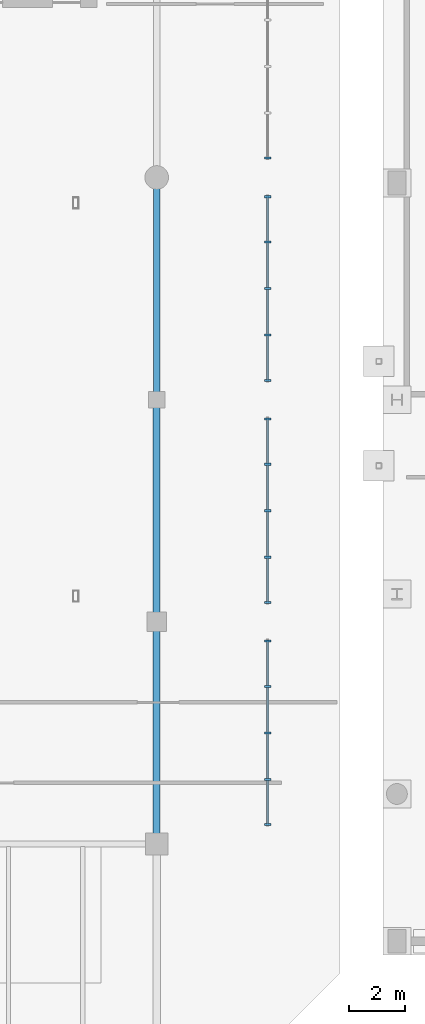
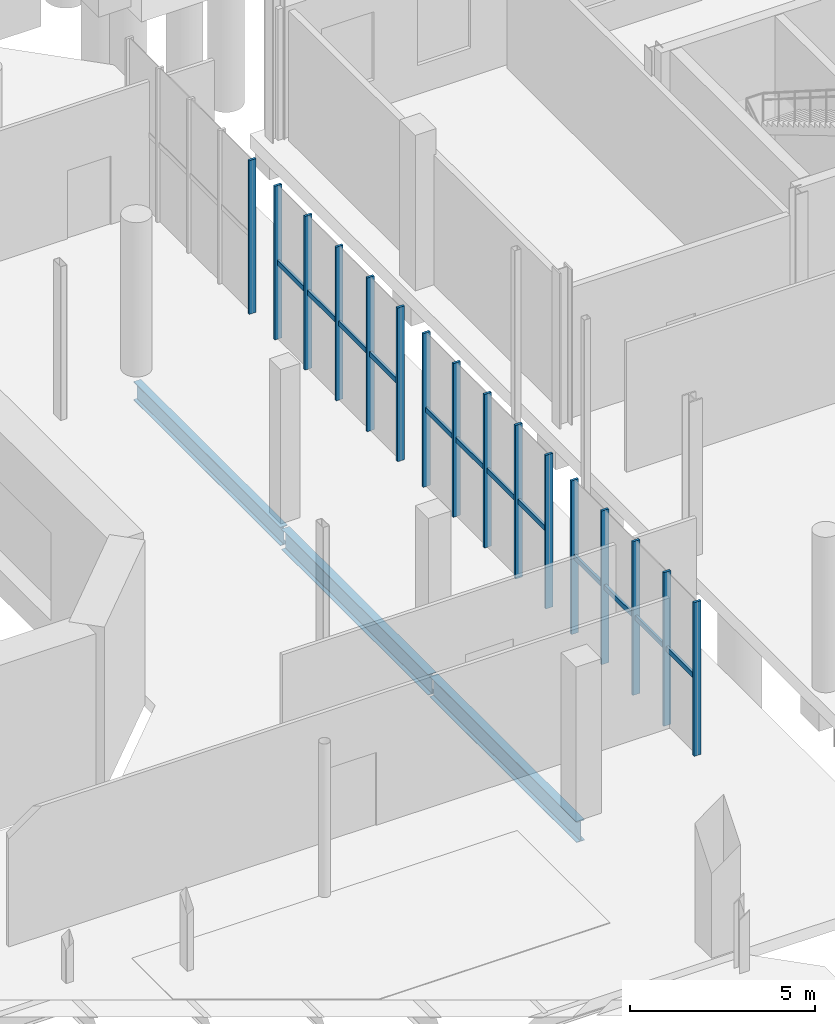
# One storey, part 43 of 87: 28 members, 3 beams, 4 elements without a shape of their own.
"""IFC4 building model written with IfcOpenShell, lengths in metres."""

from ifc_helpers import new_model, si_unit, direction, frame, origin, origin_2d, place, context, subcontext, project, spatial, rectangle, i_section, extrude, material, material_profile, profile_set, type_object, element, aggregate, save


model = new_model("IFC4")

# Units and contexts
model_context = context("Model", 3, precision=1e-05, world=origin(), true_north=direction((0.0, 1.0)))
body_context = subcontext(model_context, "Body", "Model", "MODEL_VIEW")
ifc_project = project(units=[si_unit("LENGTHUNIT", "METRE"), si_unit("AREAUNIT", "SQUARE_METRE"), si_unit("VOLUMEUNIT", "CUBIC_METRE"), si_unit("PLANEANGLEUNIT", "RADIAN"), si_unit("MASSUNIT", "GRAM", prefix="KILO")], contexts=[model_context])

# Site, building, storey
site_placement = place(None, origin())
site = spatial("IfcSite", under=ifc_project, at=site_placement, CompositionType="ELEMENT")
building_placement = place(site_placement, origin())
building = spatial("IfcBuilding", under=site, at=building_placement, Name="Brisemont Oceanarium", CompositionType="ELEMENT")
storey_placement = place(building_placement, origin())
storey = spatial("IfcBuildingStorey", under=building, at=storey_placement, Name="L00", CompositionType="ELEMENT", Elevation=0.0)

# Beams
ifc_material_1 = material(Name="Structural Steel ASTM A992 Gr.50", Category="steel")
ifc_material_profile_1 = material_profile(ifc_material_1, i_section(OverallWidth=0.22900390625, OverallDepth=0.612060546875, WebThickness=0.011962890625, FlangeThickness=0.01953125, FilletRadius=0.012939453125, at=origin_2d()), Name="W24X84")
ifc_profile_set_1 = profile_set([ifc_material_profile_1], Name="Structural Steel ASTM A992 Gr.50")
beam_type_1 = type_object("IfcBeamType", Name="BM-W24X84", PredefinedType="BEAM", material=ifc_profile_set_1)
beam_1_placement = place(storey_placement, frame((104.0, 56.0400390625, -0.68603515625), z_axis=(0.0, 1.0, 0.0), x_axis=(-1.0, 0.0, 0.0)))
element("IfcBeam", 1, at=beam_1_placement, inside=storey, type_object=beam_type_1, Name="V1 L00 NS girder", PredefinedType="BEAM", context=body_context, shape_type="SweptSolid", body=[
    extrude(i_section(OverallWidth=0.22900390625, OverallDepth=0.612060546875, WebThickness=0.011962890625, FlangeThickness=0.01953125, FilletRadius=0.012939453125, at=origin_2d()), origin(), (0.0, 0.0, 1.0), 7.919921875),
])
ifc_material_2 = material(Name="Structural Steel ASTM A992 Gr.50", Category="steel")
ifc_material_profile_2 = material_profile(ifc_material_2, i_section(OverallWidth=0.2529296875, OverallDepth=0.677978515625, WebThickness=0.01171875, FlangeThickness=0.016357421875, FilletRadius=0.014892578125, at=origin_2d()), Name="W27X84")
ifc_profile_set_2 = profile_set([ifc_material_profile_2], Name="Structural Steel ASTM A992 Gr.50")
beam_type_2 = type_object("IfcBeamType", Name="BM-W27X84", PredefinedType="BEAM", material=ifc_profile_set_2)
beam_2_placement = place(storey_placement, frame((104.0, 48.0400390625, -0.718994140625), z_axis=(0.0, 1.0, 0.0), x_axis=(-1.0, 0.0, 0.0)))
element("IfcBeam", 2, at=beam_2_placement, inside=storey, type_object=beam_type_2, Name="V1 L00 NS girder", PredefinedType="BEAM", context=body_context, shape_type="SweptSolid", body=[
    extrude(i_section(OverallWidth=0.2529296875, OverallDepth=0.677978515625, WebThickness=0.01171875, FlangeThickness=0.016357421875, FilletRadius=0.014892578125, at=origin_2d()), origin(), (0.0, 0.0, 1.0), 7.919921875),
])
ifc_material_3 = material(Name="Structural Steel ASTM A992 Gr.50", Category="steel")
ifc_material_profile_3 = material_profile(ifc_material_3, i_section(OverallWidth=0.25390625, OverallDepth=0.68310546875, WebThickness=0.012451171875, FlangeThickness=0.018798828125, FilletRadius=0.014892578125, at=origin_2d()), Name="W27X94")
ifc_profile_set_3 = profile_set([ifc_material_profile_3], Name="Structural Steel ASTM A992 Gr.50")
beam_type_3 = type_object("IfcBeamType", Name="BM-W27X94", PredefinedType="BEAM", material=ifc_profile_set_3)
beam_3_placement = place(storey_placement, frame((104.0, 40.0400390625, -0.721435546875), z_axis=(0.0, 1.0, 0.0), x_axis=(-1.0, 0.0, 0.0)))
element("IfcBeam", 3, at=beam_3_placement, inside=storey, type_object=beam_type_3, Name="V1 L00 NS girder", PredefinedType="BEAM", context=body_context, shape_type="SweptSolid", body=[
    extrude(i_section(OverallWidth=0.25390625, OverallDepth=0.68310546875, WebThickness=0.012451171875, FlangeThickness=0.018798828125, FilletRadius=0.014892578125, at=origin_2d()), origin(), (0.0, 0.0, 1.0), 7.919921875),
])

# Curtain wall, members
ifc_material_4 = material(Name="Anodized Extruded Aluminum 6063-T6", Category="aluminium")
curtain_wall_type = type_object("IfcCurtainWallType", Name="CW-ROT-69X50", PredefinedType="NOTDEFINED", material=ifc_material_4)
curtain_wall_1_placement = place(storey_placement, origin())
curtain_wall_1 = element("IfcCurtainWall", 4, at=curtain_wall_1_placement, inside=storey, type_object=curtain_wall_type, Name="CW-01 curtain wall CW-V1-E-L00-01", PredefinedType="NOTDEFINED")
ifc_material_5 = material(Name="Anodized Extruded Aluminum 6063-T6", Category="aluminium")
ifc_material_profile_4 = material_profile(ifc_material_5, rectangle(XDim=0.074951171875, YDim=0.219970703125, at=origin_2d()), Name="CWM-75X220")
ifc_profile_set_4 = profile_set([ifc_material_profile_4], Name="Anodized Extruded Aluminum 6063-T6")
member_type_1 = type_object("IfcMemberType", Name="MEM-CWM-75", PredefinedType="MULLION", material=ifc_profile_set_4)
member_1_placement = place(storey_placement, frame((108.0, 40.695068359375, 0.0), z_axis=(0.0, 0.0, 1.0), x_axis=(0.0, 1.0, 0.0)))
member_1 = element("IfcMember", 5, at=member_1_placement, type_object=member_type_1, Name="CW-V1-E-L00-01 mullion 1", PredefinedType="MULLION", context=body_context, shape_type="SweptSolid", body=[
    extrude(rectangle(XDim=0.074951171875, YDim=0.219970703125, at=origin_2d()), origin(), (0.0, 0.0, 1.0), 5.06005859375),
])
member_2_placement = place(storey_placement, frame((108.0, 42.324951171875, 0.0), z_axis=(0.0, 0.0, 1.0), x_axis=(0.0, 1.0, 0.0)))
member_2 = element("IfcMember", 6, at=member_2_placement, type_object=member_type_1, Name="CW-V1-E-L00-01 mullion 2", PredefinedType="MULLION", context=body_context, shape_type="SweptSolid", body=[
    extrude(rectangle(XDim=0.074951171875, YDim=0.219970703125, at=origin_2d()), origin(), (0.0, 0.0, 1.0), 5.06005859375),
])
member_3_placement = place(storey_placement, frame((108.0, 44.0, 0.0), z_axis=(0.0, 0.0, 1.0), x_axis=(0.0, 1.0, 0.0)))
member_3 = element("IfcMember", 7, at=member_3_placement, type_object=member_type_1, Name="CW-V1-E-L00-01 mullion 3", PredefinedType="MULLION", context=body_context, shape_type="SweptSolid", body=[
    extrude(rectangle(XDim=0.074951171875, YDim=0.219970703125, at=origin_2d()), origin(), (0.0, 0.0, 1.0), 5.06005859375),
])
member_4_placement = place(storey_placement, frame((108.0, 45.675048828125, 0.0), z_axis=(0.0, 0.0, 1.0), x_axis=(0.0, 1.0, 0.0)))
member_4 = element("IfcMember", 8, at=member_4_placement, type_object=member_type_1, Name="CW-V1-E-L00-01 mullion 4", PredefinedType="MULLION", context=body_context, shape_type="SweptSolid", body=[
    extrude(rectangle(XDim=0.074951171875, YDim=0.219970703125, at=origin_2d()), origin(), (0.0, 0.0, 1.0), 5.06005859375),
])
member_5_placement = place(storey_placement, frame((108.0, 47.304931640625, 0.0), z_axis=(0.0, 0.0, 1.0), x_axis=(0.0, 1.0, 0.0)))
member_5 = element("IfcMember", 9, at=member_5_placement, type_object=member_type_1, Name="CW-V1-E-L00-01 mullion 5", PredefinedType="MULLION", context=body_context, shape_type="SweptSolid", body=[
    extrude(rectangle(XDim=0.074951171875, YDim=0.219970703125, at=origin_2d()), origin(), (0.0, 0.0, 1.0), 5.06005859375),
])

curtain_wall_2_placement = place(storey_placement, origin())
curtain_wall_2 = element("IfcCurtainWall", 10, at=curtain_wall_2_placement, inside=storey, type_object=curtain_wall_type, Name="CW-01 curtain wall CW-V1-E-L00-02", PredefinedType="NOTDEFINED")
member_6_placement = place(storey_placement, frame((108.0, 48.695068359375, 0.0), z_axis=(0.0, 0.0, 1.0), x_axis=(0.0, 1.0, 0.0)))
member_6 = element("IfcMember", 11, at=member_6_placement, type_object=member_type_1, Name="CW-V1-E-L00-02 mullion 1", PredefinedType="MULLION", context=body_context, shape_type="SweptSolid", body=[
    extrude(rectangle(XDim=0.074951171875, YDim=0.219970703125, at=origin_2d()), origin(), (0.0, 0.0, 1.0), 5.06005859375),
])
member_7_placement = place(storey_placement, frame((108.0, 50.324951171875, 0.0), z_axis=(0.0, 0.0, 1.0), x_axis=(0.0, 1.0, 0.0)))
member_7 = element("IfcMember", 12, at=member_7_placement, type_object=member_type_1, Name="CW-V1-E-L00-02 mullion 2", PredefinedType="MULLION", context=body_context, shape_type="SweptSolid", body=[
    extrude(rectangle(XDim=0.074951171875, YDim=0.219970703125, at=origin_2d()), origin(), (0.0, 0.0, 1.0), 5.06005859375),
])
member_8_placement = place(storey_placement, frame((108.0, 52.0, 0.0), z_axis=(0.0, 0.0, 1.0), x_axis=(0.0, 1.0, 0.0)))
member_8 = element("IfcMember", 13, at=member_8_placement, type_object=member_type_1, Name="CW-V1-E-L00-02 mullion 3", PredefinedType="MULLION", context=body_context, shape_type="SweptSolid", body=[
    extrude(rectangle(XDim=0.074951171875, YDim=0.219970703125, at=origin_2d()), origin(), (0.0, 0.0, 1.0), 5.06005859375),
])
member_9_placement = place(storey_placement, frame((108.0, 53.675048828125, 0.0), z_axis=(0.0, 0.0, 1.0), x_axis=(0.0, 1.0, 0.0)))
member_9 = element("IfcMember", 14, at=member_9_placement, type_object=member_type_1, Name="CW-V1-E-L00-02 mullion 4", PredefinedType="MULLION", context=body_context, shape_type="SweptSolid", body=[
    extrude(rectangle(XDim=0.074951171875, YDim=0.219970703125, at=origin_2d()), origin(), (0.0, 0.0, 1.0), 5.06005859375),
])
member_10_placement = place(storey_placement, frame((108.0, 55.304931640625, 0.0), z_axis=(0.0, 0.0, 1.0), x_axis=(0.0, 1.0, 0.0)))
member_10 = element("IfcMember", 15, at=member_10_placement, type_object=member_type_1, Name="CW-V1-E-L00-02 mullion 5", PredefinedType="MULLION", context=body_context, shape_type="SweptSolid", body=[
    extrude(rectangle(XDim=0.074951171875, YDim=0.219970703125, at=origin_2d()), origin(), (0.0, 0.0, 1.0), 5.06005859375),
])

curtain_wall_3_placement = place(storey_placement, origin())
curtain_wall_3 = element("IfcCurtainWall", 16, at=curtain_wall_3_placement, inside=storey, type_object=curtain_wall_type, Name="CW-01 curtain wall CW-V1-E-L00-03", PredefinedType="NOTDEFINED")
member_11_placement = place(storey_placement, frame((108.0, 56.695068359375, 0.0), z_axis=(0.0, 0.0, 1.0), x_axis=(0.0, 1.0, 0.0)))
member_11 = element("IfcMember", 17, at=member_11_placement, type_object=member_type_1, Name="CW-V1-E-L00-03 mullion 1", PredefinedType="MULLION", context=body_context, shape_type="SweptSolid", body=[
    extrude(rectangle(XDim=0.074951171875, YDim=0.219970703125, at=origin_2d()), origin(), (0.0, 0.0, 1.0), 5.06005859375),
])
member_12_placement = place(storey_placement, frame((108.0, 58.324951171875, 0.0), z_axis=(0.0, 0.0, 1.0), x_axis=(0.0, 1.0, 0.0)))
member_12 = element("IfcMember", 18, at=member_12_placement, type_object=member_type_1, Name="CW-V1-E-L00-03 mullion 2", PredefinedType="MULLION", context=body_context, shape_type="SweptSolid", body=[
    extrude(rectangle(XDim=0.074951171875, YDim=0.219970703125, at=origin_2d()), origin(), (0.0, 0.0, 1.0), 5.06005859375),
])
member_13_placement = place(storey_placement, frame((108.0, 60.0, 0.0), z_axis=(0.0, 0.0, 1.0), x_axis=(0.0, 1.0, 0.0)))
member_13 = element("IfcMember", 19, at=member_13_placement, type_object=member_type_1, Name="CW-V1-E-L00-03 mullion 3", PredefinedType="MULLION", context=body_context, shape_type="SweptSolid", body=[
    extrude(rectangle(XDim=0.074951171875, YDim=0.219970703125, at=origin_2d()), origin(), (0.0, 0.0, 1.0), 5.06005859375),
])
member_14_placement = place(storey_placement, frame((108.0, 61.675048828125, 0.0), z_axis=(0.0, 0.0, 1.0), x_axis=(0.0, 1.0, 0.0)))
member_14 = element("IfcMember", 20, at=member_14_placement, type_object=member_type_1, Name="CW-V1-E-L00-03 mullion 4", PredefinedType="MULLION", context=body_context, shape_type="SweptSolid", body=[
    extrude(rectangle(XDim=0.074951171875, YDim=0.219970703125, at=origin_2d()), origin(), (0.0, 0.0, 1.0), 5.06005859375),
])
member_15_placement = place(storey_placement, frame((108.0, 63.304931640625, 0.0), z_axis=(0.0, 0.0, 1.0), x_axis=(0.0, 1.0, 0.0)))
member_15 = element("IfcMember", 21, at=member_15_placement, type_object=member_type_1, Name="CW-V1-E-L00-03 mullion 5", PredefinedType="MULLION", context=body_context, shape_type="SweptSolid", body=[
    extrude(rectangle(XDim=0.074951171875, YDim=0.219970703125, at=origin_2d()), origin(), (0.0, 0.0, 1.0), 5.06005859375),
])

# Curtain wall, member
curtain_wall_4_placement = place(storey_placement, origin())
curtain_wall_4 = element("IfcCurtainWall", 22, at=curtain_wall_4_placement, inside=storey, type_object=curtain_wall_type, Name="CW-01 curtain wall CW-V1-E-L00-04", PredefinedType="NOTDEFINED")
member_16_placement = place(storey_placement, frame((108.0, 64.695068359375, 0.0), z_axis=(0.0, 0.0, 1.0), x_axis=(0.0, 1.0, 0.0)))
member_16 = element("IfcMember", 23, at=member_16_placement, type_object=member_type_1, Name="CW-V1-E-L00-04 mullion 1", PredefinedType="MULLION", context=body_context, shape_type="SweptSolid", body=[
    extrude(rectangle(XDim=0.074951171875, YDim=0.219970703125, at=origin_2d()), origin(), (0.0, 0.0, 1.0), 5.06005859375),
])
aggregate(curtain_wall_4, [member_16])

# Member
ifc_material_6 = material(Name="Anodized Extruded Aluminum 6063-T6", Category="aluminium")
ifc_material_profile_5 = material_profile(ifc_material_6, rectangle(XDim=0.074951171875, YDim=0.1650390625, at=origin_2d()), Name="CWT-75X165")
ifc_profile_set_5 = profile_set([ifc_material_profile_5], Name="Anodized Extruded Aluminum 6063-T6")
member_type_2 = type_object("IfcMemberType", Name="MEM-CWT-75", PredefinedType="USERDEFINED", material=ifc_profile_set_5)
member_17_placement = place(storey_placement, frame((108.0, 40.6650390625, 2.530029296875), z_axis=(0.0, 1.0, 0.0), x_axis=(-1.0, 0.0, 0.0)))
member_17 = element("IfcMember", 24, at=member_17_placement, type_object=member_type_2, Name="CW-V1-E-L00-01 transom 1.1", ObjectType="TRANSOM", PredefinedType="USERDEFINED", context=body_context, shape_type="SweptSolid", body=[
    extrude(rectangle(XDim=0.074951171875, YDim=0.1650390625, at=origin_2d()), origin(), (0.0, 0.0, 1.0), 1.64501953125),
])

member_18_placement = place(storey_placement, frame((108.0, 42.340087890625, 2.530029296875), z_axis=(0.0, 1.0, 0.0), x_axis=(-1.0, 0.0, 0.0)))
member_18 = element("IfcMember", 25, at=member_18_placement, type_object=member_type_2, Name="CW-V1-E-L00-01 transom 2.1", ObjectType="TRANSOM", PredefinedType="USERDEFINED", context=body_context, shape_type="SweptSolid", body=[
    extrude(rectangle(XDim=0.074951171875, YDim=0.1650390625, at=origin_2d()), origin(), (0.0, 0.0, 1.0), 1.64501953125),
])

member_19_placement = place(storey_placement, frame((108.0, 44.014892578125, 2.530029296875), z_axis=(0.0, 1.0, 0.0), x_axis=(-1.0, 0.0, 0.0)))
member_19 = element("IfcMember", 26, at=member_19_placement, type_object=member_type_2, Name="CW-V1-E-L00-01 transom 3.1", ObjectType="TRANSOM", PredefinedType="USERDEFINED", context=body_context, shape_type="SweptSolid", body=[
    extrude(rectangle(XDim=0.074951171875, YDim=0.1650390625, at=origin_2d()), origin(), (0.0, 0.0, 1.0), 1.64501953125),
])

member_20_placement = place(storey_placement, frame((108.0, 45.68994140625, 2.530029296875), z_axis=(0.0, 1.0, 0.0), x_axis=(-1.0, 0.0, 0.0)))
member_20 = element("IfcMember", 27, at=member_20_placement, type_object=member_type_2, Name="CW-V1-E-L00-01 transom 4.1", ObjectType="TRANSOM", PredefinedType="USERDEFINED", context=body_context, shape_type="SweptSolid", body=[
    extrude(rectangle(XDim=0.074951171875, YDim=0.1650390625, at=origin_2d()), origin(), (0.0, 0.0, 1.0), 1.64501953125),
])

aggregate(curtain_wall_1, [member_1, member_2, member_3, member_4, member_5, member_17, member_18, member_19, member_20])

member_21_placement = place(storey_placement, frame((108.0, 48.6650390625, 2.530029296875), z_axis=(0.0, 1.0, 0.0), x_axis=(-1.0, 0.0, 0.0)))
member_21 = element("IfcMember", 28, at=member_21_placement, type_object=member_type_2, Name="CW-V1-E-L00-02 transom 1.1", ObjectType="TRANSOM", PredefinedType="USERDEFINED", context=body_context, shape_type="SweptSolid", body=[
    extrude(rectangle(XDim=0.074951171875, YDim=0.1650390625, at=origin_2d()), origin(), (0.0, 0.0, 1.0), 1.64501953125),
])

member_22_placement = place(storey_placement, frame((108.0, 50.340087890625, 2.530029296875), z_axis=(0.0, 1.0, 0.0), x_axis=(-1.0, 0.0, 0.0)))
member_22 = element("IfcMember", 29, at=member_22_placement, type_object=member_type_2, Name="CW-V1-E-L00-02 transom 2.1", ObjectType="TRANSOM", PredefinedType="USERDEFINED", context=body_context, shape_type="SweptSolid", body=[
    extrude(rectangle(XDim=0.074951171875, YDim=0.1650390625, at=origin_2d()), origin(), (0.0, 0.0, 1.0), 1.64501953125),
])

member_23_placement = place(storey_placement, frame((108.0, 52.014892578125, 2.530029296875), z_axis=(0.0, 1.0, 0.0), x_axis=(-1.0, 0.0, 0.0)))
member_23 = element("IfcMember", 30, at=member_23_placement, type_object=member_type_2, Name="CW-V1-E-L00-02 transom 3.1", ObjectType="TRANSOM", PredefinedType="USERDEFINED", context=body_context, shape_type="SweptSolid", body=[
    extrude(rectangle(XDim=0.074951171875, YDim=0.1650390625, at=origin_2d()), origin(), (0.0, 0.0, 1.0), 1.64501953125),
])

member_24_placement = place(storey_placement, frame((108.0, 53.68994140625, 2.530029296875), z_axis=(0.0, 1.0, 0.0), x_axis=(-1.0, 0.0, 0.0)))
member_24 = element("IfcMember", 31, at=member_24_placement, type_object=member_type_2, Name="CW-V1-E-L00-02 transom 4.1", ObjectType="TRANSOM", PredefinedType="USERDEFINED", context=body_context, shape_type="SweptSolid", body=[
    extrude(rectangle(XDim=0.074951171875, YDim=0.1650390625, at=origin_2d()), origin(), (0.0, 0.0, 1.0), 1.64501953125),
])

aggregate(curtain_wall_2, [member_6, member_7, member_8, member_9, member_10, member_21, member_22, member_23, member_24])

member_25_placement = place(storey_placement, frame((108.0, 56.6650390625, 2.530029296875), z_axis=(0.0, 1.0, 0.0), x_axis=(-1.0, 0.0, 0.0)))
member_25 = element("IfcMember", 32, at=member_25_placement, type_object=member_type_2, Name="CW-V1-E-L00-03 transom 1.1", ObjectType="TRANSOM", PredefinedType="USERDEFINED", context=body_context, shape_type="SweptSolid", body=[
    extrude(rectangle(XDim=0.074951171875, YDim=0.1650390625, at=origin_2d()), origin(), (0.0, 0.0, 1.0), 1.64501953125),
])

member_26_placement = place(storey_placement, frame((108.0, 58.340087890625, 2.530029296875), z_axis=(0.0, 1.0, 0.0), x_axis=(-1.0, 0.0, 0.0)))
member_26 = element("IfcMember", 33, at=member_26_placement, type_object=member_type_2, Name="CW-V1-E-L00-03 transom 2.1", ObjectType="TRANSOM", PredefinedType="USERDEFINED", context=body_context, shape_type="SweptSolid", body=[
    extrude(rectangle(XDim=0.074951171875, YDim=0.1650390625, at=origin_2d()), origin(), (0.0, 0.0, 1.0), 1.64501953125),
])

member_27_placement = place(storey_placement, frame((108.0, 60.014892578125, 2.530029296875), z_axis=(0.0, 1.0, 0.0), x_axis=(-1.0, 0.0, 0.0)))
member_27 = element("IfcMember", 34, at=member_27_placement, type_object=member_type_2, Name="CW-V1-E-L00-03 transom 3.1", ObjectType="TRANSOM", PredefinedType="USERDEFINED", context=body_context, shape_type="SweptSolid", body=[
    extrude(rectangle(XDim=0.074951171875, YDim=0.1650390625, at=origin_2d()), origin(), (0.0, 0.0, 1.0), 1.64501953125),
])

member_28_placement = place(storey_placement, frame((108.0, 61.68994140625, 2.530029296875), z_axis=(0.0, 1.0, 0.0), x_axis=(-1.0, 0.0, 0.0)))
member_28 = element("IfcMember", 35, at=member_28_placement, type_object=member_type_2, Name="CW-V1-E-L00-03 transom 4.1", ObjectType="TRANSOM", PredefinedType="USERDEFINED", context=body_context, shape_type="SweptSolid", body=[
    extrude(rectangle(XDim=0.074951171875, YDim=0.1650390625, at=origin_2d()), origin(), (0.0, 0.0, 1.0), 1.64501953125),
])

aggregate(curtain_wall_3, [member_11, member_12, member_13, member_14, member_15, member_25, member_26, member_27, member_28])

save(model, "model.ifc")
